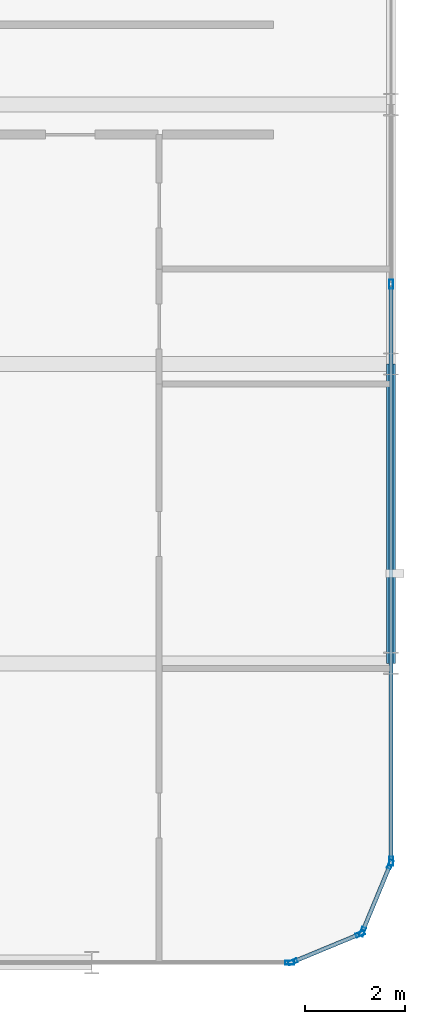
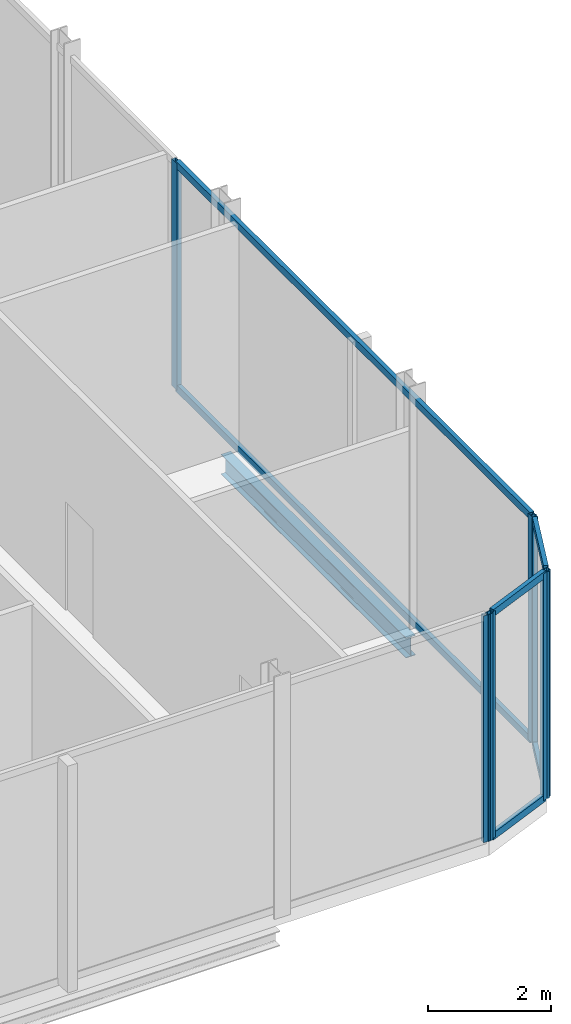
# One storey, part 12 of 29: 13 members, 1 beam, 4 elements without a shape of their own.
"""IFC4 building model written with IfcOpenShell, lengths in metres."""

from ifc_helpers import new_model, si_unit, direction, frame, origin, origin_2d, place, context, subcontext, project, spatial, hollow_rectangle, i_section, extrude, material, layer, layer_set, material_profile, profile_set, type_object, element, aggregate, save


model = new_model("IFC4")

# Units and contexts
model_context = context("Model", 3, precision=1e-05, world=origin(), true_north=direction((0.0, 1.0)))
body_context = subcontext(model_context, "Body", "Model", "MODEL_VIEW")
ifc_project = project(units=[si_unit("LENGTHUNIT", "METRE"), si_unit("AREAUNIT", "SQUARE_METRE"), si_unit("VOLUMEUNIT", "CUBIC_METRE"), si_unit("PLANEANGLEUNIT", "RADIAN"), si_unit("MASSUNIT", "GRAM", prefix="KILO")], contexts=[model_context])

# Site, building, storey
site_placement = place(None, origin())
site = spatial("IfcSite", under=ifc_project, at=site_placement, CompositionType="ELEMENT")
building_placement = place(site_placement, origin())
building = spatial("IfcBuilding", under=site, at=building_placement, Name="Keshet Zoharim Tower", CompositionType="ELEMENT")
storey_placement = place(building_placement, frame((0.0, 0.0, 218.0)))
storey = spatial("IfcBuildingStorey", under=building, at=storey_placement, Name="L54", CompositionType="ELEMENT", Elevation=218.0)

# Beam
ifc_material_1 = material(Name="Steel S355", Category="steel")
ifc_material_profile_1 = material_profile(ifc_material_1, i_section(OverallWidth=0.179931640625, OverallDepth=0.39990234375, WebThickness=0.008544921875, FlangeThickness=0.013427734375, FilletRadius=0.02099609375, at=origin_2d()), Name="IPE400")
ifc_profile_set_1 = profile_set([ifc_material_profile_1], Name="Steel S355")
beam_type = type_object("IfcBeamType", Name="BM-PRI-IP400", PredefinedType="BEAM", material=ifc_profile_set_1)
beam_placement = place(storey_placement, frame((57.0, 6.699951171875, -0.52001953125), z_axis=(0.0, 1.0, 0.0), x_axis=(-1.0, 0.0, 0.0)))
element("IfcBeam", 1, at=beam_placement, inside=storey, type_object=beam_type, Name="L54 Primary Girder Y-013", PredefinedType="BEAM", context=body_context, shape_type="SweptSolid", body=[
    extrude(i_section(OverallWidth=0.179931640625, OverallDepth=0.39990234375, WebThickness=0.008544921875, FlangeThickness=0.013427734375, FilletRadius=0.02099609375, at=origin_2d()), origin(), (0.0, 0.0, 1.0), 6.0),
])

# Curtain wall, members
ifc_material_2 = material(Name="Aluminium 6063-T6", Category="aluminium")
ifc_layer = layer(ifc_material_2, 0.14990234375)
ifc_layer_set = layer_set([ifc_layer], Name="Aluminium 6063-T6")
curtain_wall_type = type_object("IfcCurtainWallType", Name="CW-SYS-04", PredefinedType="NOTDEFINED", material=ifc_layer_set)
curtain_wall_1_placement = place(storey_placement, origin())
curtain_wall_1 = element("IfcCurtainWall", 2, at=curtain_wall_1_placement, inside=storey, type_object=curtain_wall_type, Name="L54 Unitised Curtain Wall 03", PredefinedType="NOTDEFINED")
ifc_material_profile_2 = material_profile(ifc_material_2, hollow_rectangle(XDim=0.080078125, YDim=0.179931640625, WallThickness=0.00439453125, at=origin_2d()), Name="MUL-80x180")
ifc_profile_set_2 = profile_set([ifc_material_profile_2], Name="Aluminium 6063-T6")
member_type_1 = type_object("IfcMemberType", Name="CWM-M18", PredefinedType="MULLION", material=ifc_profile_set_2)
member_1_placement = place(storey_placement, frame((57.0, 14.300048828125, 0.0), z_axis=(0.0, 0.0, 1.0), x_axis=(1.0, 0.0, 0.0)))
member_1 = element("IfcMember", 3, at=member_1_placement, type_object=member_type_1, Name="CW-04 mullion 2", PredefinedType="MULLION", context=body_context, shape_type="SweptSolid", body=[
    extrude(hollow_rectangle(XDim=0.080078125, YDim=0.179931640625, WallThickness=0.00439453125, at=origin_2d()), origin(), (0.0, 0.0, 1.0), 4.489990234375),
])
member_2_placement = place(storey_placement, frame((57.0, 2.735107421875, 0.0), z_axis=(0.0, 0.0, 1.0), x_axis=(1.0, 0.0, 0.0)))
member_2 = element("IfcMember", 4, at=member_2_placement, type_object=member_type_1, Name="CW-04 mullion 3", PredefinedType="MULLION", context=body_context, shape_type="SweptSolid", body=[
    extrude(hollow_rectangle(XDim=0.080078125, YDim=0.179931640625, WallThickness=0.00439453125, at=origin_2d()), origin(), (0.0, 0.0, 1.0), 4.489990234375),
])

curtain_wall_2_placement = place(storey_placement, origin())
curtain_wall_2 = element("IfcCurtainWall", 5, at=curtain_wall_2_placement, inside=storey, type_object=curtain_wall_type, Name="L54 Unitised Curtain Wall 04", PredefinedType="NOTDEFINED")
member_3_placement = place(storey_placement, frame((56.986572265625, 2.667724609375, 0.0), z_axis=(0.0, 0.0, 1.0), x_axis=(0.92380975372, -0.382851849847, 0.0)))
member_3 = element("IfcMember", 6, at=member_3_placement, type_object=member_type_1, Name="CW-04 mullion 1", PredefinedType="MULLION", context=body_context, shape_type="SweptSolid", body=[
    extrude(hollow_rectangle(XDim=0.080078125, YDim=0.179931640625, WallThickness=0.00439453125, at=origin_2d()), origin(), (0.0, 0.0, 1.0), 4.489990234375),
])
member_4_placement = place(storey_placement, frame((56.427490234375, 1.318359375, 0.0), z_axis=(0.0, 0.0, 1.0), x_axis=(0.92380975372, -0.382851849847, 0.0)))
member_4 = element("IfcMember", 7, at=member_4_placement, type_object=member_type_1, Name="CW-04 mullion 2", PredefinedType="MULLION", context=body_context, shape_type="SweptSolid", body=[
    extrude(hollow_rectangle(XDim=0.080078125, YDim=0.179931640625, WallThickness=0.00439453125, at=origin_2d()), origin(), (0.0, 0.0, 1.0), 4.489990234375),
])

curtain_wall_3_placement = place(storey_placement, origin())
curtain_wall_3 = element("IfcCurtainWall", 8, at=curtain_wall_3_placement, inside=storey, type_object=curtain_wall_type, Name="L54 Unitised Curtain Wall 05", PredefinedType="NOTDEFINED")
member_5_placement = place(storey_placement, frame((56.381591796875, 1.272705078125, 0.0), z_axis=(0.0, 0.0, 1.0), x_axis=(0.382851849847, -0.92380975372, 0.0)))
member_5 = element("IfcMember", 9, at=member_5_placement, type_object=member_type_1, Name="CW-04 mullion 1", PredefinedType="MULLION", context=body_context, shape_type="SweptSolid", body=[
    extrude(hollow_rectangle(XDim=0.080078125, YDim=0.179931640625, WallThickness=0.00439453125, at=origin_2d()), origin(), (0.0, 0.0, 1.0), 4.489990234375),
])
member_6_placement = place(storey_placement, frame((55.0322265625, 0.71337890625, 0.0), z_axis=(0.0, 0.0, 1.0), x_axis=(0.382851849847, -0.92380975372, 0.0)))
member_6 = element("IfcMember", 10, at=member_6_placement, type_object=member_type_1, Name="CW-04 mullion 2", PredefinedType="MULLION", context=body_context, shape_type="SweptSolid", body=[
    extrude(hollow_rectangle(XDim=0.080078125, YDim=0.179931640625, WallThickness=0.00439453125, at=origin_2d()), origin(), (0.0, 0.0, 1.0), 4.489990234375),
])

# Curtain wall, member
curtain_wall_4_placement = place(storey_placement, origin())
curtain_wall_4 = element("IfcCurtainWall", 11, at=curtain_wall_4_placement, inside=storey, type_object=curtain_wall_type, Name="L54 Unitised Curtain Wall 06", PredefinedType="NOTDEFINED")
member_7_placement = place(storey_placement, frame((54.965087890625, 0.699951171875, 0.0), z_axis=(0.0, 0.0, 1.0), x_axis=(0.0, -1.0, 0.0)))
member_7 = element("IfcMember", 12, at=member_7_placement, type_object=member_type_1, Name="CW-04 mullion 1", PredefinedType="MULLION", context=body_context, shape_type="SweptSolid", body=[
    extrude(hollow_rectangle(XDim=0.080078125, YDim=0.179931640625, WallThickness=0.00439453125, at=origin_2d()), origin(), (0.0, 0.0, 1.0), 4.489990234375),
])
aggregate(curtain_wall_4, [member_7])

# Member
ifc_material_profile_3 = material_profile(ifc_material_2, hollow_rectangle(XDim=0.080078125, YDim=0.139892578125, WallThickness=0.00390625, at=origin_2d()), Name="TRN-80x140")
ifc_profile_set_3 = profile_set([ifc_material_profile_3], Name="Aluminium 6063-T6")
member_type_2 = type_object("IfcMemberType", Name="CWT-T14", PredefinedType="USERDEFINED", material=ifc_profile_set_3)
member_8_placement = place(storey_placement, frame((57.0, 14.264892578125, 0.034912109375), z_axis=(0.0, -1.0, 0.0), x_axis=(1.0, 0.0, 0.0)))
member_8 = element("IfcMember", 13, at=member_8_placement, type_object=member_type_2, Name="CW-04 transom 2.1", ObjectType="TRANSOM", PredefinedType="USERDEFINED", context=body_context, shape_type="SweptSolid", body=[
    extrude(hollow_rectangle(XDim=0.080078125, YDim=0.139892578125, WallThickness=0.00390625, at=origin_2d()), origin(), (0.0, 0.0, 1.0), 11.494873046875),
])

member_9_placement = place(storey_placement, frame((57.0, 14.264892578125, 4.455078125), z_axis=(0.0, -1.0, 0.0), x_axis=(1.0, 0.0, 0.0)))
member_9 = element("IfcMember", 14, at=member_9_placement, type_object=member_type_2, Name="CW-04 transom 2.2", ObjectType="TRANSOM", PredefinedType="USERDEFINED", context=body_context, shape_type="SweptSolid", body=[
    extrude(hollow_rectangle(XDim=0.080078125, YDim=0.139892578125, WallThickness=0.00390625, at=origin_2d()), origin(), (0.0, 0.0, 1.0), 11.494873046875),
])

aggregate(curtain_wall_1, [member_1, member_2, member_8, member_9])

member_10_placement = place(storey_placement, frame((56.97314453125, 2.63525390625, 0.034912109375), z_axis=(-0.382744609247, -0.923854189844, 0.0), x_axis=(0.923854189844, -0.382744609247, 0.0)))
member_10 = element("IfcMember", 15, at=member_10_placement, type_object=member_type_2, Name="CW-04 transom 1.1", ObjectType="TRANSOM", PredefinedType="USERDEFINED", context=body_context, shape_type="SweptSolid", body=[
    extrude(hollow_rectangle(XDim=0.080078125, YDim=0.139892578125, WallThickness=0.00390625, at=origin_2d()), origin(), (0.0, 0.0, 1.0), 1.390625),
])

member_11_placement = place(storey_placement, frame((56.97314453125, 2.63525390625, 4.455078125), z_axis=(-0.382744609247, -0.923854189844, 0.0), x_axis=(0.923854189844, -0.382744609247, 0.0)))
member_11 = element("IfcMember", 16, at=member_11_placement, type_object=member_type_2, Name="CW-04 transom 1.2", ObjectType="TRANSOM", PredefinedType="USERDEFINED", context=body_context, shape_type="SweptSolid", body=[
    extrude(hollow_rectangle(XDim=0.080078125, YDim=0.139892578125, WallThickness=0.00390625, at=origin_2d()), origin(), (0.0, 0.0, 1.0), 1.390625),
])

aggregate(curtain_wall_2, [member_3, member_4, member_10, member_11])

member_12_placement = place(storey_placement, frame((56.349365234375, 1.25927734375, 0.034912109375), z_axis=(-0.92379209995, -0.382894445076, 0.0), x_axis=(0.382894445076, -0.92379209995, 0.0)))
member_12 = element("IfcMember", 17, at=member_12_placement, type_object=member_type_2, Name="CW-04 transom 1.1", ObjectType="TRANSOM", PredefinedType="USERDEFINED", context=body_context, shape_type="SweptSolid", body=[
    extrude(hollow_rectangle(XDim=0.080078125, YDim=0.139892578125, WallThickness=0.00390625, at=origin_2d()), origin(), (0.0, 0.0, 1.0), 1.390625),
])

member_13_placement = place(storey_placement, frame((56.349365234375, 1.25927734375, 4.455078125), z_axis=(-0.92379209995, -0.382894445076, 0.0), x_axis=(0.382894445076, -0.92379209995, 0.0)))
member_13 = element("IfcMember", 18, at=member_13_placement, type_object=member_type_2, Name="CW-04 transom 1.2", ObjectType="TRANSOM", PredefinedType="USERDEFINED", context=body_context, shape_type="SweptSolid", body=[
    extrude(hollow_rectangle(XDim=0.080078125, YDim=0.139892578125, WallThickness=0.00390625, at=origin_2d()), origin(), (0.0, 0.0, 1.0), 1.390625),
])

aggregate(curtain_wall_3, [member_5, member_6, member_12, member_13])

save(model, "model.ifc")
